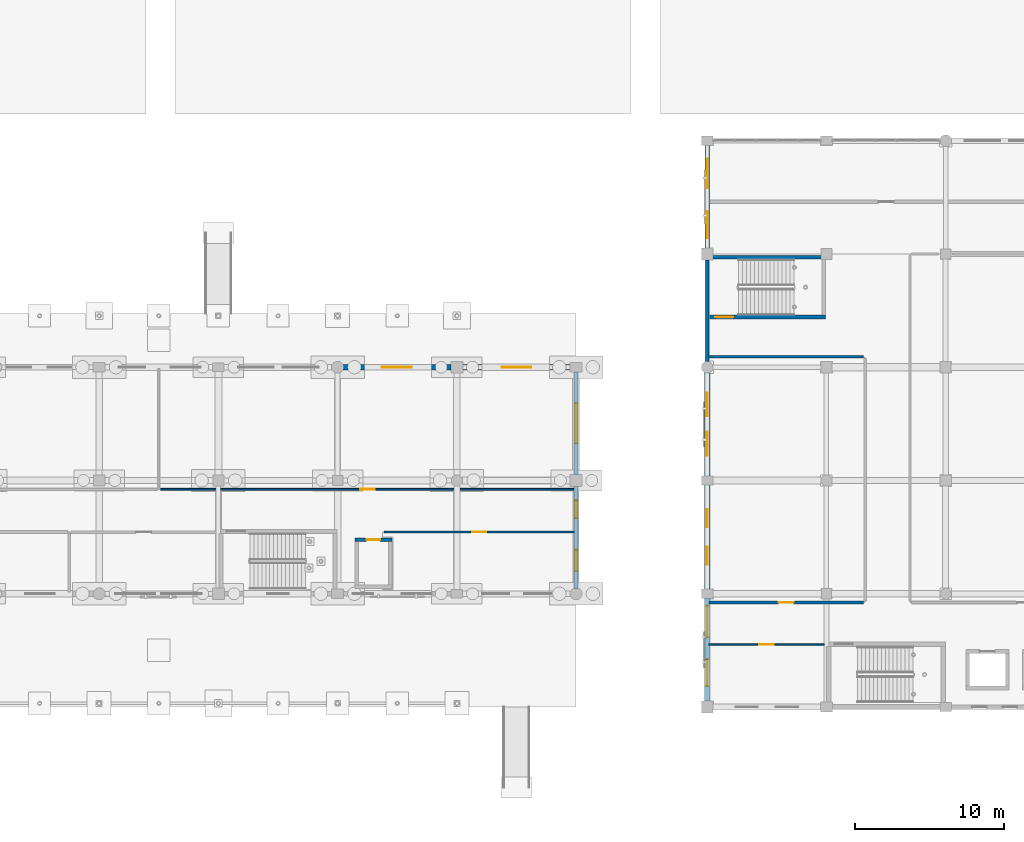
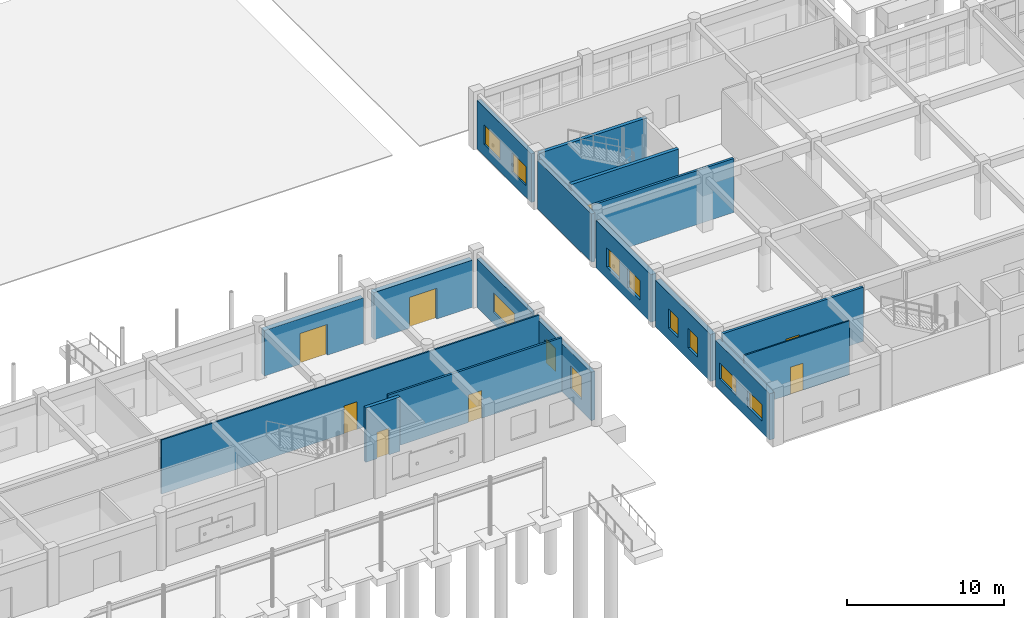
# One storey, part 133 of 166: 17 walls, 11 windows, 8 doors, 19 openings.
"""IFC4 building model written with IfcOpenShell, lengths in metres."""

from ifc_helpers import new_model, si_unit, direction, frame, frame_2d, origin, place, context, subcontext, project, spatial, rectangle, extrude, material, layer, layer_set, type_object, element, fill, save


model = new_model("IFC4")

# Units and contexts
model_context = context("Model", 3, precision=1e-05, world=origin(), true_north=direction((0.0, 1.0)))
body_context = subcontext(model_context, "Body", "Model", "MODEL_VIEW")
ifc_project = project(units=[si_unit("LENGTHUNIT", "METRE"), si_unit("AREAUNIT", "SQUARE_METRE"), si_unit("VOLUMEUNIT", "CUBIC_METRE"), si_unit("PLANEANGLEUNIT", "RADIAN"), si_unit("MASSUNIT", "GRAM", prefix="KILO")], contexts=[model_context])

# Site, building, storey
site_placement = place(None, origin())
site = spatial("IfcSite", under=ifc_project, at=site_placement, CompositionType="ELEMENT")
building_placement = place(site_placement, origin())
building = spatial("IfcBuilding", under=site, at=building_placement, Name="Kharva Crest Polytechnic", CompositionType="ELEMENT")
storey_placement = place(building_placement, origin())
storey = spatial("IfcBuildingStorey", under=building, at=storey_placement, Name="L00", CompositionType="ELEMENT", Elevation=0.0)

# Wall, opening, window
ifc_material_1 = material(Name="Kiln brick masonry", Category="masonry")
ifc_layer_1 = layer(ifc_material_1, 0.260009765625, Name="Kiln brick masonry")
ifc_layer_set_1 = layer_set([ifc_layer_1], Name="Kiln brick masonry")
wall_type_1 = type_object("IfcWallType", Name="WL-EXT-BRK-260", PredefinedType="SOLIDWALL", material=ifc_layer_set_1)
wall_1_placement = place(storey_placement, frame((112.0, 15.594970703125, 0.0), z_axis=(0.0, 0.0, 1.0), x_axis=(0.0, 1.0, 0.0)))
wall_1 = element("IfcWall", 1, at=wall_1_placement, inside=storey, type_object=wall_type_1, Name="L00 Exterior Brick Wall 28", PredefinedType="SOLIDWALL", context=body_context, shape_type="SweptSolid", body=[
    extrude(rectangle(XDim=6.885009765625, YDim=0.260009765625, at=frame_2d((3.4423828125, 0.0))), origin(), (0.0, 0.0, 1.0), 3.780029296875),
])
opening_1_placement = place(wall_1_placement, frame((2.092041015625, 0.0, 0.89990234375)))
opening_1 = element("IfcOpeningElement", 2, at=opening_1_placement, cuts=wall_1, Name="Opening W09", PredefinedType="OPENING", context=body_context, shape_type="SweptSolid", body=[
    extrude(rectangle(XDim=2.699951171875, YDim=1.5, at=frame_2d((1.35009765625, 0.75))), frame((0.0, 0.139892578125, 0.0), z_axis=(0.0, -1.0, 0.0), x_axis=(1.0, 0.0, 0.0)), (0.0, 0.0, 1.0), 0.280029296875),
])
ifc_material_2 = material(Name="Anodised aluminium", Category="aluminium")
window_type_1 = type_object("IfcWindowType", Name="WIN-ALU-2700X1500", PartitioningType="SINGLE_PANEL", PredefinedType="WINDOW", material=ifc_material_2)
window_1_placement = place(opening_1_placement, origin())
window_1 = element("IfcWindow", 3, at=window_1_placement, inside=storey, type_object=window_type_1, Name="L00 Exterior Window 32", OverallHeight=1.5, OverallWidth=2.699951171875, PartitioningType="SINGLE_PANEL", PredefinedType="WINDOW", context=body_context, shape_type="SweptSolid", body=[
    extrude(rectangle(XDim=2.699951171875, YDim=1.5, at=frame_2d((1.35009765625, 0.75))), frame((0.0, 0.030029296875, 0.0), z_axis=(0.0, -1.0, 0.0), x_axis=(1.0, 0.0, 0.0)), (0.0, 0.0, 1.0), 0.06005859375),
])
fill(opening_1, window_1)

# Wall
wall_2_placement = place(storey_placement, frame((120.800048828125, 30.0048828125, 0.0), z_axis=(0.0, 0.0, 1.0), x_axis=(0.0, -1.0, 0.0)))
element("IfcWall", 4, at=wall_2_placement, inside=storey, type_object=wall_type_1, Name="L00 Exterior Brick Wall 48", PredefinedType="SOLIDWALL", context=body_context, shape_type="SweptSolid", body=[
    extrude(rectangle(XDim=6.868896484375, YDim=0.260009765625, at=frame_2d((3.4345703125, 0.0))), origin(), (0.0, 0.0, 1.0), 3.760009765625),
])

# Wall, openings, windows
ifc_layer_2 = layer(ifc_material_1, 0.27490234375, Name="Kiln brick masonry")
ifc_layer_set_2 = layer_set([ifc_layer_2], Name="Kiln brick masonry")
wall_type_2 = type_object("IfcWallType", Name="WL-EXT-BRK-275", PredefinedType="SOLIDWALL", material=ifc_layer_set_2)
wall_3_placement = place(storey_placement, frame((112.0, 7.93603515625, 0.0), z_axis=(0.0, 0.0, 1.0), x_axis=(0.0, 1.0, 0.0)))
wall_3 = element("IfcWall", 5, at=wall_3_placement, inside=storey, type_object=wall_type_2, Name="L00 Exterior Brick Wall 27", PredefinedType="SOLIDWALL", context=body_context, shape_type="SweptSolid", body=[
    extrude(rectangle(XDim=6.868896484375, YDim=0.27490234375, at=frame_2d((3.4345703125, 0.0))), origin(), (0.0, 0.0, 1.0), 3.760009765625),
])
opening_2_placement = place(wall_3_placement, frame((1.201904296875, 0.0, 0.89990234375)))
opening_2 = element("IfcOpeningElement", 6, at=opening_2_placement, cuts=wall_3, Name="Opening W07", PredefinedType="OPENING", context=body_context, shape_type="SweptSolid", body=[
    extrude(rectangle(XDim=1.39990234375, YDim=1.800048828125, at=frame_2d((0.699951171875, 0.89990234375))), frame((0.0, 0.1474609375, 0.0), z_axis=(0.0, -1.0, 0.0), x_axis=(1.0, 0.0, 0.0)), (0.0, 0.0, 1.0), 0.294921875),
])
opening_3_placement = place(wall_3_placement, frame((4.736083984375, 0.0, 0.89990234375)))
opening_3 = element("IfcOpeningElement", 7, at=opening_3_placement, cuts=wall_3, Name="Opening W08", PredefinedType="OPENING", context=body_context, shape_type="SweptSolid", body=[
    extrude(rectangle(XDim=1.199951171875, YDim=1.800048828125, at=frame_2d((0.60009765625, 0.89990234375))), frame((0.0, 0.1474609375, 0.0), z_axis=(0.0, -1.0, 0.0), x_axis=(1.0, 0.0, 0.0)), (0.0, 0.0, 1.0), 0.294921875),
])
window_type_2 = type_object("IfcWindowType", Name="WIN-ALU-1200X1800", PartitioningType="SINGLE_PANEL", PredefinedType="WINDOW", material=ifc_material_2)
window_2_placement = place(opening_3_placement, origin())
window_2 = element("IfcWindow", 8, at=window_2_placement, inside=storey, type_object=window_type_2, Name="L00 Exterior Window 31", OverallHeight=1.800048828125, OverallWidth=1.199951171875, PartitioningType="SINGLE_PANEL", PredefinedType="WINDOW", context=body_context, shape_type="SweptSolid", body=[
    extrude(rectangle(XDim=1.199951171875, YDim=1.800048828125, at=frame_2d((0.60009765625, 0.89990234375))), frame((0.0, 0.030029296875, 0.0), z_axis=(0.0, -1.0, 0.0), x_axis=(1.0, 0.0, 0.0)), (0.0, 0.0, 1.0), 0.06005859375),
])
fill(opening_3, window_2)
window_type_3 = type_object("IfcWindowType", Name="WIN-ALU-1400X1800", PartitioningType="SINGLE_PANEL", PredefinedType="WINDOW", material=ifc_material_2)
window_3_placement = place(opening_2_placement, origin())
window_3 = element("IfcWindow", 9, at=window_3_placement, inside=storey, type_object=window_type_3, Name="L00 Exterior Window 30", OverallHeight=1.800048828125, OverallWidth=1.39990234375, PartitioningType="SINGLE_PANEL", PredefinedType="WINDOW", context=body_context, shape_type="SweptSolid", body=[
    extrude(rectangle(XDim=1.39990234375, YDim=1.800048828125, at=frame_2d((0.699951171875, 0.89990234375))), frame((0.0, 0.030029296875, 0.0), z_axis=(0.0, -1.0, 0.0), x_axis=(1.0, 0.0, 0.0)), (0.0, 0.0, 1.0), 0.06005859375),
])
fill(opening_2, window_3)

wall_4_placement = place(storey_placement, frame((120.800048828125, 37.679931640625, 0.0), z_axis=(0.0, 0.0, 1.0), x_axis=(0.0, -1.0, 0.0)))
wall_4 = element("IfcWall", 10, at=wall_4_placement, inside=storey, type_object=wall_type_2, Name="L00 Exterior Brick Wall 47", PredefinedType="SOLIDWALL", context=body_context, shape_type="SweptSolid", body=[
    extrude(rectangle(XDim=6.885009765625, YDim=0.27490234375, at=frame_2d((3.4423828125, 0.0))), origin(), (0.0, 0.0, 1.0), 3.780029296875),
])
opening_4_placement = place(wall_4_placement, frame((0.885009765625, 0.0, 0.89990234375)))
opening_4 = element("IfcOpeningElement", 11, at=opening_4_placement, cuts=wall_4, Name="Opening W12", PredefinedType="OPENING", context=body_context, shape_type="SweptSolid", body=[
    extrude(rectangle(XDim=2.0, YDim=1.5, at=frame_2d((1.0, 0.75))), frame((0.0, 0.1474609375, 0.0), z_axis=(0.0, -1.0, 0.0), x_axis=(1.0, 0.0, 0.0)), (0.0, 0.0, 1.0), 0.294921875),
])
opening_5_placement = place(wall_4_placement, frame((4.427001953125, 0.0, 0.89990234375)))
opening_5 = element("IfcOpeningElement", 12, at=opening_5_placement, cuts=wall_4, Name="Opening W13", PredefinedType="OPENING", context=body_context, shape_type="SweptSolid", body=[
    extrude(rectangle(XDim=1.800048828125, YDim=1.5, at=frame_2d((0.89990234375, 0.75))), frame((0.0, 0.1474609375, 0.0), z_axis=(0.0, -1.0, 0.0), x_axis=(1.0, 0.0, 0.0)), (0.0, 0.0, 1.0), 0.294921875),
])
window_type_4 = type_object("IfcWindowType", Name="WIN-ALU-1800X1500", PartitioningType="SINGLE_PANEL", PredefinedType="WINDOW", material=ifc_material_2)
window_4_placement = place(opening_5_placement, origin())
window_4 = element("IfcWindow", 13, at=window_4_placement, inside=storey, type_object=window_type_4, Name="L00 Exterior Window 60", OverallHeight=1.5, OverallWidth=1.800048828125, PartitioningType="SINGLE_PANEL", PredefinedType="WINDOW", context=body_context, shape_type="SweptSolid", body=[
    extrude(rectangle(XDim=1.800048828125, YDim=1.5, at=frame_2d((0.89990234375, 0.75))), frame((0.0, 0.030029296875, 0.0), z_axis=(0.0, -1.0, 0.0), x_axis=(1.0, 0.0, 0.0)), (0.0, 0.0, 1.0), 0.06005859375),
])
fill(opening_5, window_4)
window_type_5 = type_object("IfcWindowType", Name="WIN-ALU-2000X1500", PartitioningType="SINGLE_PANEL", PredefinedType="WINDOW", material=ifc_material_2)
window_5_placement = place(opening_4_placement, origin())
window_5 = element("IfcWindow", 14, at=window_5_placement, inside=storey, type_object=window_type_5, Name="L00 Exterior Window 59", OverallHeight=1.5, OverallWidth=2.0, PartitioningType="SINGLE_PANEL", PredefinedType="WINDOW", context=body_context, shape_type="SweptSolid", body=[
    extrude(rectangle(XDim=2.0, YDim=1.5, at=frame_2d((1.0, 0.75))), frame((0.0, 0.030029296875, 0.0), z_axis=(0.0, -1.0, 0.0), x_axis=(1.0, 0.0, 0.0)), (0.0, 0.0, 1.0), 0.06005859375),
])
fill(opening_4, window_5)

ifc_layer_3 = layer(ifc_material_1, 0.35009765625, Name="Kiln brick masonry")
ifc_layer_set_3 = layer_set([ifc_layer_3], Name="Kiln brick masonry")
wall_type_3 = type_object("IfcWallType", Name="WL-EXT-BRK-350", PredefinedType="SOLIDWALL", material=ifc_layer_set_3)
wall_5_placement = place(storey_placement, frame((120.800048828125, 7.280029296875, 0.0), z_axis=(0.0, 0.0, 1.0), x_axis=(0.0, -1.0, 0.0)))
wall_5 = element("IfcWall", 15, at=wall_5_placement, inside=storey, type_object=wall_type_3, Name="L00 Exterior Brick Wall 51", PredefinedType="SOLIDWALL", context=body_context, shape_type="SweptSolid", body=[
    extrude(rectangle(XDim=6.885009765625, YDim=0.35009765625, at=frame_2d((3.4423828125, 0.0))), origin(), (0.0, 0.0, 1.0), 3.60009765625),
])
opening_6_placement = place(wall_5_placement, frame((0.489990234375, 0.0, 0.89990234375)))
opening_6 = element("IfcOpeningElement", 16, at=opening_6_placement, cuts=wall_5, Name="Opening W18", PredefinedType="OPENING", context=body_context, shape_type="SweptSolid", body=[
    extrude(rectangle(XDim=2.10009765625, YDim=1.25, at=frame_2d((1.050048828125, 0.625))), frame((0.0, 0.18505859375, 0.0), z_axis=(0.0, -1.0, 0.0), x_axis=(1.0, 0.0, 0.0)), (0.0, 0.0, 1.0), 0.3701171875),
])
opening_7_placement = place(wall_5_placement, frame((4.08203125, 0.0, 0.89990234375)))
opening_7 = element("IfcOpeningElement", 17, at=opening_7_placement, cuts=wall_5, Name="Opening W19", PredefinedType="OPENING", context=body_context, shape_type="SweptSolid", body=[
    extrude(rectangle(XDim=1.800048828125, YDim=1.25, at=frame_2d((0.89990234375, 0.625))), frame((0.0, 0.18505859375, 0.0), z_axis=(0.0, -1.0, 0.0), x_axis=(1.0, 0.0, 0.0)), (0.0, 0.0, 1.0), 0.3701171875),
])
window_type_6 = type_object("IfcWindowType", Name="WIN-ALU-1800X1250", PartitioningType="SINGLE_PANEL", PredefinedType="WINDOW", material=ifc_material_2)
window_6_placement = place(opening_7_placement, origin())
window_6 = element("IfcWindow", 18, at=window_6_placement, inside=storey, type_object=window_type_6, Name="L00 Exterior Window 66", OverallHeight=1.25, OverallWidth=1.800048828125, PartitioningType="SINGLE_PANEL", PredefinedType="WINDOW", context=body_context, shape_type="SweptSolid", body=[
    extrude(rectangle(XDim=1.800048828125, YDim=1.25, at=frame_2d((0.89990234375, 0.625))), frame((0.0, 0.030029296875, 0.0), z_axis=(0.0, -1.0, 0.0), x_axis=(1.0, 0.0, 0.0)), (0.0, 0.0, 1.0), 0.06005859375),
])
fill(opening_7, window_6)
window_type_7 = type_object("IfcWindowType", Name="WIN-ALU-2100X1250", PartitioningType="SINGLE_PANEL", PredefinedType="WINDOW", material=ifc_material_2)
window_7_placement = place(opening_6_placement, origin())
window_7 = element("IfcWindow", 19, at=window_7_placement, inside=storey, type_object=window_type_7, Name="L00 Exterior Window 65", OverallHeight=1.25, OverallWidth=2.10009765625, PartitioningType="SINGLE_PANEL", PredefinedType="WINDOW", context=body_context, shape_type="SweptSolid", body=[
    extrude(rectangle(XDim=2.10009765625, YDim=1.25, at=frame_2d((1.050048828125, 0.625))), frame((0.0, 0.030029296875, 0.0), z_axis=(0.0, -1.0, 0.0), x_axis=(1.0, 0.0, 0.0)), (0.0, 0.0, 1.0), 0.06005859375),
])
fill(opening_6, window_7)

# Wall, opening, door
ifc_layer_4 = layer(ifc_material_1, 0.364990234375, Name="Kiln brick masonry")
ifc_layer_set_4 = layer_set([ifc_layer_4], Name="Kiln brick masonry")
wall_type_4 = type_object("IfcWallType", Name="WL-EXT-BRK-365", PredefinedType="SOLIDWALL", material=ifc_layer_set_4)
wall_6_placement = place(storey_placement, frame((103.60498046875, 22.800048828125, 0.0), z_axis=(0.0, 0.0, 1.0), x_axis=(-1.0, 0.0, 0.0)))
wall_6 = element("IfcWall", 20, at=wall_6_placement, inside=storey, type_object=wall_type_4, Name="L00 Exterior Brick Wall 30", PredefinedType="SOLIDWALL", context=body_context, shape_type="SweptSolid", body=[
    extrude(rectangle(XDim=7.26904296875, YDim=0.364990234375, at=frame_2d((3.634521484375, 0.0))), origin(), (0.0, 0.0, 1.0), 3.5400390625),
])
opening_8_placement = place(wall_6_placement, frame((2.635009765625, 0.0, 0.0)))
opening_8 = element("IfcOpeningElement", 21, at=opening_8_placement, cuts=wall_6, Name="Opening ED2", PredefinedType="OPENING", context=body_context, shape_type="SweptSolid", body=[
    extrude(rectangle(XDim=2.0, YDim=2.39990234375, at=frame_2d((1.0, 1.199951171875))), frame((0.0, 0.1923828125, 0.0), z_axis=(0.0, -1.0, 0.0), x_axis=(1.0, 0.0, 0.0)), (0.0, 0.0, 1.0), 0.385009765625),
])
door_type_1 = type_object("IfcDoorType", Name="DR-EXT-DBL-2000X2400", OperationType="NOTDEFINED", PredefinedType="DOOR", material=ifc_material_2)
door_1_placement = place(opening_8_placement, frame((2.0, 0.0, 0.0), z_axis=(0.0, 0.0, 1.0), x_axis=(-1.0, 0.0, 0.0)))
door_1 = element("IfcDoor", 22, at=door_1_placement, inside=storey, type_object=door_type_1, Name="L00 VER_S_L00 Access Door 11", OperationType="DOUBLE_DOOR_SINGLE_SWING", OverallHeight=2.39990234375, OverallWidth=2.0, PredefinedType="DOOR", context=body_context, shape_type="SweptSolid", body=[
    extrude(rectangle(XDim=2.0, YDim=2.39990234375, at=frame_2d((1.0, 1.199951171875))), frame((0.0, 0.02490234375, 0.0), z_axis=(0.0, -1.0, 0.0), x_axis=(1.0, 0.0, 0.0)), (0.0, 0.0, 1.0), 0.050048828125),
])
fill(opening_8, door_1)

# Wall, openings, windows
wall_7_placement = place(storey_placement, frame((120.800048828125, 14.905029296875, 0.0), z_axis=(0.0, 0.0, 1.0), x_axis=(0.0, -1.0, 0.0)))
wall_7 = element("IfcWall", 23, at=wall_7_placement, inside=storey, type_object=wall_type_4, Name="L00 Exterior Brick Wall 50", PredefinedType="SOLIDWALL", context=body_context, shape_type="SweptSolid", body=[
    extrude(rectangle(XDim=6.985107421875, YDim=0.364990234375, at=frame_2d((3.49267578125, 0.0))), origin(), (0.0, 0.0, 1.0), 3.639892578125),
])
opening_9_placement = place(wall_7_placement, frame((1.635009765625, 0.0, 0.89990234375)))
opening_9 = element("IfcOpeningElement", 24, at=opening_9_placement, cuts=wall_7, Name="Opening W16", PredefinedType="OPENING", context=body_context, shape_type="SweptSolid", body=[
    extrude(rectangle(XDim=1.199951171875, YDim=1.5, at=frame_2d((0.60009765625, 0.75))), frame((0.0, 0.1923828125, 0.0), z_axis=(0.0, -1.0, 0.0), x_axis=(1.0, 0.0, 0.0)), (0.0, 0.0, 1.0), 0.385009765625),
])
opening_10_placement = place(wall_7_placement, frame((4.14990234375, 0.0, 0.89990234375)))
opening_10 = element("IfcOpeningElement", 25, at=opening_10_placement, cuts=wall_7, Name="Opening W16", PredefinedType="OPENING", context=body_context, shape_type="SweptSolid", body=[
    extrude(rectangle(XDim=1.199951171875, YDim=1.5, at=frame_2d((0.60009765625, 0.75))), frame((0.0, 0.1923828125, 0.0), z_axis=(0.0, -1.0, 0.0), x_axis=(1.0, 0.0, 0.0)), (0.0, 0.0, 1.0), 0.385009765625),
])
window_type_8 = type_object("IfcWindowType", Name="WIN-ALU-1200X1500", PartitioningType="SINGLE_PANEL", PredefinedType="WINDOW", material=ifc_material_2)
window_8_placement = place(opening_9_placement, origin())
window_8 = element("IfcWindow", 26, at=window_8_placement, inside=storey, type_object=window_type_8, Name="L00 Exterior Window 63", OverallHeight=1.5, OverallWidth=1.199951171875, PartitioningType="SINGLE_PANEL", PredefinedType="WINDOW", context=body_context, shape_type="SweptSolid", body=[
    extrude(rectangle(XDim=1.199951171875, YDim=1.5, at=frame_2d((0.60009765625, 0.75))), frame((0.0, 0.030029296875, 0.0), z_axis=(0.0, -1.0, 0.0), x_axis=(1.0, 0.0, 0.0)), (0.0, 0.0, 1.0), 0.06005859375),
])
fill(opening_9, window_8)
window_9_placement = place(opening_10_placement, origin())
window_9 = element("IfcWindow", 27, at=window_9_placement, inside=storey, type_object=window_type_8, Name="L00 Exterior Window 64", OverallHeight=1.5, OverallWidth=1.199951171875, PartitioningType="SINGLE_PANEL", PredefinedType="WINDOW", context=body_context, shape_type="SweptSolid", body=[
    extrude(rectangle(XDim=1.199951171875, YDim=1.5, at=frame_2d((0.60009765625, 0.75))), frame((0.0, 0.030029296875, 0.0), z_axis=(0.0, -1.0, 0.0), x_axis=(1.0, 0.0, 0.0)), (0.0, 0.0, 1.0), 0.06005859375),
])
fill(opening_10, window_9)

# Wall, opening, door
ifc_layer_5 = layer(ifc_material_1, 0.3798828125, Name="Kiln brick masonry")
ifc_layer_set_5 = layer_set([ifc_layer_5], Name="Kiln brick masonry")
wall_type_5 = type_object("IfcWallType", Name="WL-EXT-BRK-380", PredefinedType="SOLIDWALL", material=ifc_layer_set_5)
wall_8_placement = place(storey_placement, frame((111.60498046875, 22.800048828125, 0.0), z_axis=(0.0, 0.0, 1.0), x_axis=(-1.0, 0.0, 0.0)))
wall_8 = element("IfcWall", 28, at=wall_8_placement, inside=storey, type_object=wall_type_5, Name="L00 Exterior Brick Wall 29", PredefinedType="SOLIDWALL", context=body_context, shape_type="SweptSolid", body=[
    extrude(rectangle(XDim=7.2099609375, YDim=0.3798828125, at=frame_2d((3.60498046875, 0.0))), origin(), (0.0, 0.0, 1.0), 3.669921875),
])
opening_11_placement = place(wall_8_placement, frame((2.60498046875, 0.0, 0.0)))
opening_11 = element("IfcOpeningElement", 29, at=opening_11_placement, cuts=wall_8, Name="Opening ED2", PredefinedType="OPENING", context=body_context, shape_type="SweptSolid", body=[
    extrude(rectangle(XDim=2.0, YDim=2.39990234375, at=frame_2d((1.0, 1.199951171875))), frame((0.0, 0.199951171875, 0.0), z_axis=(0.0, -1.0, 0.0), x_axis=(1.0, 0.0, 0.0)), (0.0, 0.0, 1.0), 0.39990234375),
])
door_2_placement = place(opening_11_placement, frame((2.0, 0.0, 0.0), z_axis=(0.0, 0.0, 1.0), x_axis=(-1.0, 0.0, 0.0)))
door_2 = element("IfcDoor", 30, at=door_2_placement, inside=storey, type_object=door_type_1, Name="L00 VER_S_L00 Access Door 10", OperationType="DOUBLE_DOOR_SINGLE_SWING", OverallHeight=2.39990234375, OverallWidth=2.0, PredefinedType="DOOR", context=body_context, shape_type="SweptSolid", body=[
    extrude(rectangle(XDim=2.0, YDim=2.39990234375, at=frame_2d((1.0, 1.199951171875))), frame((0.0, 0.02490234375, 0.0), z_axis=(0.0, -1.0, 0.0), x_axis=(1.0, 0.0, 0.0)), (0.0, 0.0, 1.0), 0.050048828125),
])
fill(opening_11, door_2)

# Wall, openings, windows
wall_9_placement = place(storey_placement, frame((120.800048828125, 22.464111328125, 0.0), z_axis=(0.0, 0.0, 1.0), x_axis=(0.0, -1.0, 0.0)))
wall_9 = element("IfcWall", 31, at=wall_9_placement, inside=storey, type_object=wall_type_5, Name="L00 Exterior Brick Wall 49", PredefinedType="SOLIDWALL", context=body_context, shape_type="SweptSolid", body=[
    extrude(rectangle(XDim=6.968994140625, YDim=0.3798828125, at=frame_2d((3.484375, 0.0))), origin(), (0.0, 0.0, 1.0), 3.699951171875),
])
opening_12_placement = place(wall_9_placement, frame((1.363037109375, 0.0, 0.89990234375)))
opening_12 = element("IfcOpeningElement", 32, at=opening_12_placement, cuts=wall_9, Name="Opening W14", PredefinedType="OPENING", context=body_context, shape_type="SweptSolid", body=[
    extrude(rectangle(XDim=1.60009765625, YDim=1.5, at=frame_2d((0.800048828125, 0.75))), frame((0.0, 0.199951171875, 0.0), z_axis=(0.0, -1.0, 0.0), x_axis=(1.0, 0.0, 0.0)), (0.0, 0.0, 1.0), 0.39990234375),
])
opening_13_placement = place(wall_9_placement, frame((4.006103515625, 0.0, 0.89990234375)))
opening_13 = element("IfcOpeningElement", 33, at=opening_13_placement, cuts=wall_9, Name="Opening W14", PredefinedType="OPENING", context=body_context, shape_type="SweptSolid", body=[
    extrude(rectangle(XDim=1.60009765625, YDim=1.5, at=frame_2d((0.800048828125, 0.75))), frame((0.0, 0.199951171875, 0.0), z_axis=(0.0, -1.0, 0.0), x_axis=(1.0, 0.0, 0.0)), (0.0, 0.0, 1.0), 0.39990234375),
])
window_type_9 = type_object("IfcWindowType", Name="WIN-ALU-1600X1500", PartitioningType="SINGLE_PANEL", PredefinedType="WINDOW", material=ifc_material_2)
window_10_placement = place(opening_12_placement, origin())
window_10 = element("IfcWindow", 34, at=window_10_placement, inside=storey, type_object=window_type_9, Name="L00 Exterior Window 61", OverallHeight=1.5, OverallWidth=1.60009765625, PartitioningType="SINGLE_PANEL", PredefinedType="WINDOW", context=body_context, shape_type="SweptSolid", body=[
    extrude(rectangle(XDim=1.60009765625, YDim=1.5, at=frame_2d((0.800048828125, 0.75))), frame((0.0, 0.030029296875, 0.0), z_axis=(0.0, -1.0, 0.0), x_axis=(1.0, 0.0, 0.0)), (0.0, 0.0, 1.0), 0.06005859375),
])
fill(opening_12, window_10)
window_11_placement = place(opening_13_placement, origin())
window_11 = element("IfcWindow", 35, at=window_11_placement, inside=storey, type_object=window_type_9, Name="L00 Exterior Window 62", OverallHeight=1.5, OverallWidth=1.60009765625, PartitioningType="SINGLE_PANEL", PredefinedType="WINDOW", context=body_context, shape_type="SweptSolid", body=[
    extrude(rectangle(XDim=1.60009765625, YDim=1.5, at=frame_2d((0.800048828125, 0.75))), frame((0.0, 0.030029296875, 0.0), z_axis=(0.0, -1.0, 0.0), x_axis=(1.0, 0.0, 0.0)), (0.0, 0.0, 1.0), 0.06005859375),
])
fill(opening_13, window_11)

# Wall, opening, door
ifc_layer_6 = layer(ifc_material_1, 0.10009765625, Name="Kiln brick masonry")
ifc_layer_set_6 = layer_set([ifc_layer_6], Name="Kiln brick masonry")
wall_type_6 = type_object("IfcWallType", Name="WL-PART-100", PredefinedType="PARTITIONING", material=ifc_layer_set_6)
wall_10_placement = place(storey_placement, frame((120.909912109375, 4.18994140625, 0.0), z_axis=(0.0, 0.0, 1.0), x_axis=(1.0, 0.0, 0.0)))
wall_10 = element("IfcWall", 36, at=wall_10_placement, inside=storey, type_object=wall_type_6, Name="L00 Interior Partition 78", PredefinedType="PARTITIONING", context=body_context, shape_type="SweptSolid", body=[
    extrude(rectangle(XDim=7.72998046875, YDim=0.10009765625, at=frame_2d((3.864990234375, 0.0))), origin(), (0.0, 0.0, 1.0), 4.199951171875),
])
opening_14_placement = place(wall_10_placement, frame((3.389892578125, 0.0, 0.0)))
opening_14 = element("IfcOpeningElement", 37, at=opening_14_placement, cuts=wall_10, Name="Opening ID14", PredefinedType="OPENING", context=body_context, shape_type="SweptSolid", body=[
    extrude(rectangle(XDim=0.949951171875, YDim=2.10009765625, at=frame_2d((0.47509765625, 1.050048828125))), frame((0.0, 0.06005859375, 0.0), z_axis=(0.0, -1.0, 0.0), x_axis=(1.0, 0.0, 0.0)), (0.0, 0.0, 1.0), 0.1201171875),
])
ifc_material_3 = material(Name="Teak timber", Category="wood")
door_type_2 = type_object("IfcDoorType", Name="DR-WC-950X2100", OperationType="NOTDEFINED", PredefinedType="DOOR", material=ifc_material_3)
door_3_placement = place(opening_14_placement, origin())
door_3 = element("IfcDoor", 38, at=door_3_placement, inside=storey, type_object=door_type_2, Name="L00 Refectory Accessible WC Door", OperationType="SINGLE_SWING_RIGHT", OverallHeight=2.10009765625, OverallWidth=0.949951171875, PredefinedType="DOOR", context=body_context, shape_type="SweptSolid", body=[
    extrude(rectangle(XDim=0.949951171875, YDim=2.10009765625, at=frame_2d((0.47509765625, 1.050048828125))), frame((0.0, 0.02490234375, 0.0), z_axis=(0.0, -1.0, 0.0), x_axis=(1.0, 0.0, 0.0)), (0.0, 0.0, 1.0), 0.050048828125),
])
fill(opening_14, door_3)

ifc_layer_7 = layer(ifc_material_1, 0.110107421875, Name="Kiln brick masonry")
ifc_layer_set_7 = layer_set([ifc_layer_7], Name="Kiln brick masonry")
wall_type_7 = type_object("IfcWallType", Name="WL-PART-110", PredefinedType="PARTITIONING", material=ifc_layer_set_7)
wall_11_placement = place(storey_placement, frame((84.1201171875, 14.610107421875, 0.0), z_axis=(0.0, 0.0, 1.0), x_axis=(1.0, 0.0, 0.0)))
wall_11 = element("IfcWall", 39, at=wall_11_placement, inside=storey, type_object=wall_type_7, Name="L00 Interior Partition 77", PredefinedType="PARTITIONING", context=body_context, shape_type="SweptSolid", body=[
    extrude(rectangle(XDim=27.769775390625, YDim=0.110107421875, at=frame_2d((13.884765625, 0.0))), origin(), (0.0, 0.0, 1.0), 4.199951171875),
])
opening_15_placement = place(wall_11_placement, frame((13.405029296875, 0.0, 0.0)))
opening_15 = element("IfcOpeningElement", 40, at=opening_15_placement, cuts=wall_11, Name="Opening ID13", PredefinedType="OPENING", context=body_context, shape_type="SweptSolid", body=[
    extrude(rectangle(XDim=0.9599609375, YDim=2.14990234375, at=frame_2d((0.47998046875, 1.074951171875))), frame((0.0, 0.06494140625, 0.0), z_axis=(0.0, -1.0, 0.0), x_axis=(1.0, 0.0, 0.0)), (0.0, 0.0, 1.0), 0.130126953125),
])
door_type_3 = type_object("IfcDoorType", Name="DR-OFF-960X2150", OperationType="NOTDEFINED", PredefinedType="DOOR", material=ifc_material_3)
door_4_placement = place(opening_15_placement, origin())
door_4 = element("IfcDoor", 41, at=door_4_placement, inside=storey, type_object=door_type_3, Name="L00 Academic Examination Office Door", OperationType="SINGLE_SWING_LEFT", OverallHeight=2.14990234375, OverallWidth=0.9599609375, PredefinedType="DOOR", context=body_context, shape_type="SweptSolid", body=[
    extrude(rectangle(XDim=0.9599609375, YDim=2.14990234375, at=frame_2d((0.47998046875, 1.074951171875))), frame((0.0, 0.02490234375, 0.0), z_axis=(0.0, -1.0, 0.0), x_axis=(1.0, 0.0, 0.0)), (0.0, 0.0, 1.0), 0.050048828125),
])
fill(opening_15, door_4)

ifc_layer_8 = layer(ifc_material_1, 0.14990234375, Name="Kiln brick masonry")
ifc_layer_set_8 = layer_set([ifc_layer_8], Name="Kiln brick masonry")
wall_type_8 = type_object("IfcWallType", Name="WL-PART-150", PredefinedType="PARTITIONING", material=ifc_layer_set_8)
wall_12_placement = place(storey_placement, frame((99.110107421875, 11.739990234375, 0.0), z_axis=(0.0, 0.0, 1.0), x_axis=(1.0, 0.0, 0.0)))
wall_12 = element("IfcWall", 42, at=wall_12_placement, inside=storey, type_object=wall_type_8, Name="L00 Interior Partition 73", PredefinedType="PARTITIONING", context=body_context, shape_type="SweptSolid", body=[
    extrude(rectangle(XDim=12.77978515625, YDim=0.14990234375, at=frame_2d((6.389892578125, 0.0))), origin(), (0.0, 0.0, 1.0), 4.199951171875),
])
opening_16_placement = place(wall_12_placement, frame((5.909912109375, 0.0, 0.0)))
opening_16 = element("IfcOpeningElement", 43, at=opening_16_placement, cuts=wall_12, Name="Opening ID13", PredefinedType="OPENING", context=body_context, shape_type="SweptSolid", body=[
    extrude(rectangle(XDim=0.9599609375, YDim=2.14990234375, at=frame_2d((0.47998046875, 1.074951171875))), frame((0.0, 0.0849609375, 0.0), z_axis=(0.0, -1.0, 0.0), x_axis=(1.0, 0.0, 0.0)), (0.0, 0.0, 1.0), 0.169921875),
])
door_5_placement = place(opening_16_placement, origin())
door_5 = element("IfcDoor", 44, at=door_5_placement, inside=storey, type_object=door_type_3, Name="L00 Campus Reception Office Door", OperationType="SINGLE_SWING_LEFT", OverallHeight=2.14990234375, OverallWidth=0.9599609375, PredefinedType="DOOR", context=body_context, shape_type="SweptSolid", body=[
    extrude(rectangle(XDim=0.9599609375, YDim=2.14990234375, at=frame_2d((0.47998046875, 1.074951171875))), frame((0.0, 0.02490234375, 0.0), z_axis=(0.0, -1.0, 0.0), x_axis=(1.0, 0.0, 0.0)), (0.0, 0.0, 1.0), 0.050048828125),
])
fill(opening_16, door_5)

# Wall
ifc_layer_9 = layer(ifc_material_1, 0.169921875, Name="Kiln brick masonry")
ifc_layer_set_9 = layer_set([ifc_layer_9], Name="Kiln brick masonry")
wall_type_9 = type_object("IfcWallType", Name="WL-PART-170", PredefinedType="PARTITIONING", material=ifc_layer_set_9)
wall_13_placement = place(storey_placement, frame((120.909912109375, 23.489990234375, 0.0), z_axis=(0.0, 0.0, 1.0), x_axis=(1.0, 0.0, 0.0)))
element("IfcWall", 45, at=wall_13_placement, inside=storey, type_object=wall_type_9, Name="L00 Interior Partition 81", PredefinedType="PARTITIONING", context=body_context, shape_type="SweptSolid", body=[
    extrude(rectangle(XDim=10.3701171875, YDim=0.169921875, at=frame_2d((5.18505859375, 0.0))), origin(), (0.0, 0.0, 1.0), 4.199951171875),
])

# Wall, opening, door
ifc_layer_10 = layer(ifc_material_1, 0.179931640625, Name="Kiln brick masonry")
ifc_layer_set_10 = layer_set([ifc_layer_10], Name="Kiln brick masonry")
wall_type_10 = type_object("IfcWallType", Name="WL-PART-180", PredefinedType="PARTITIONING", material=ifc_layer_set_10)
wall_14_placement = place(storey_placement, frame((120.909912109375, 7.010009765625, 0.0), z_axis=(0.0, 0.0, 1.0), x_axis=(1.0, 0.0, 0.0)))
wall_14 = element("IfcWall", 46, at=wall_14_placement, inside=storey, type_object=wall_type_10, Name="L00 Interior Partition 80", PredefinedType="PARTITIONING", context=body_context, shape_type="SweptSolid", body=[
    extrude(rectangle(XDim=10.3701171875, YDim=0.179931640625, at=frame_2d((5.18505859375, 0.0))), origin(), (0.0, 0.0, 1.0), 4.199951171875),
])
opening_17_placement = place(wall_14_placement, frame((4.68505859375, 0.0, 0.0)))
opening_17 = element("IfcOpeningElement", 47, at=opening_17_placement, cuts=wall_14, Name="Opening ID12", PredefinedType="OPENING", context=body_context, shape_type="SweptSolid", body=[
    extrude(rectangle(XDim=1.0, YDim=2.14990234375, at=frame_2d((0.5, 1.074951171875))), frame((0.0, 0.099853515625, 0.0), z_axis=(0.0, -1.0, 0.0), x_axis=(1.0, 0.0, 0.0)), (0.0, 0.0, 1.0), 0.199951171875),
])
door_type_4 = type_object("IfcDoorType", Name="DR-OFF-1000X2150", OperationType="NOTDEFINED", PredefinedType="DOOR", material=ifc_material_3)
door_6_placement = place(opening_17_placement, origin())
door_6 = element("IfcDoor", 48, at=door_6_placement, inside=storey, type_object=door_type_4, Name="L00 Refectory Dining Hall Door", OperationType="SINGLE_SWING_RIGHT", OverallHeight=2.14990234375, OverallWidth=1.0, PredefinedType="DOOR", context=body_context, shape_type="SweptSolid", body=[
    extrude(rectangle(XDim=1.0, YDim=2.14990234375, at=frame_2d((0.5, 1.074951171875))), frame((0.0, 0.02490234375, 0.0), z_axis=(0.0, -1.0, 0.0), x_axis=(1.0, 0.0, 0.0)), (0.0, 0.0, 1.0), 0.050048828125),
])
fill(opening_17, door_6)

ifc_material_4 = material(Name="Concrete C40/50", Category="concrete")
ifc_layer_11 = layer(ifc_material_4, 0.25, Name="Concrete C40/50")
ifc_layer_set_11 = layer_set([ifc_layer_11], Name="Concrete C40/50")
wall_type_11 = type_object("IfcWallType", Name="WL-SHEAR-SW1-250", PredefinedType="SHEAR", material=ifc_layer_set_11)
wall_15_placement = place(storey_placement, frame((120.85009765625, 26.1650390625, 0.0), z_axis=(0.0, 0.0, 1.0), x_axis=(1.0, 0.0, 0.0)))
wall_15 = element("IfcWall", 49, at=wall_15_placement, inside=storey, type_object=wall_type_11, Name="L00 South-East Escarpment Secondary Stair C7 South Shear Wall", PredefinedType="SHEAR", context=body_context, shape_type="SweptSolid", body=[
    extrude(rectangle(XDim=7.89990234375, YDim=0.25, at=frame_2d((3.949951171875, 0.0))), origin(), (0.0, 0.0, 1.0), 4.219970703125),
])
opening_18_placement = place(wall_15_placement, frame((0.5, 0.0, 0.0)))
opening_18 = element("IfcOpeningElement", 50, at=opening_18_placement, cuts=wall_15, Name="Opening FD1", PredefinedType="OPENING", context=body_context, shape_type="SweptSolid", body=[
    extrude(rectangle(XDim=1.199951171875, YDim=2.199951171875, at=frame_2d((0.60009765625, 1.10009765625))), frame((0.0, 0.135009765625, 0.0), z_axis=(0.0, -1.0, 0.0), x_axis=(1.0, 0.0, 0.0)), (0.0, 0.0, 1.0), 0.27001953125),
])
door_type_5 = type_object("IfcDoorType", Name="DR-STAIR-1200X2200", OperationType="NOTDEFINED", PredefinedType="DOOR", material=ifc_material_3)
door_7_placement = place(opening_18_placement, origin())
door_7 = element("IfcDoor", 51, at=door_7_placement, inside=storey, type_object=door_type_5, Name="L00 ST-07 Stair Door", OperationType="SINGLE_SWING_RIGHT", OverallHeight=2.199951171875, OverallWidth=1.199951171875, PredefinedType="DOOR", context=body_context, shape_type="SweptSolid", body=[
    extrude(rectangle(XDim=1.199951171875, YDim=2.199951171875, at=frame_2d((0.60009765625, 1.10009765625))), frame((0.0, 0.02490234375, 0.0), z_axis=(0.0, -1.0, 0.0), x_axis=(1.0, 0.0, 0.0)), (0.0, 0.0, 1.0), 0.050048828125),
])
fill(opening_18, door_7)

# Wall
wall_16_placement = place(storey_placement, frame((120.85009765625, 30.175048828125, 0.0), z_axis=(0.0, 0.0, 1.0), x_axis=(1.0, 0.0, 0.0)))
element("IfcWall", 52, at=wall_16_placement, inside=storey, type_object=wall_type_11, Name="L00 South-East Escarpment Secondary Stair C7 North Shear Wall", PredefinedType="SHEAR", context=body_context, shape_type="SweptSolid", body=[
    extrude(rectangle(XDim=7.89990234375, YDim=0.25, at=frame_2d((3.949951171875, 0.0))), origin(), (0.0, 0.0, 1.0), 4.219970703125),
])

# Wall, opening, door
wall_17_placement = place(storey_placement, frame((97.14990234375, 11.22509765625, 0.0), z_axis=(0.0, 0.0, 1.0), x_axis=(1.0, 0.0, 0.0)))
wall_17 = element("IfcWall", 53, at=wall_17_placement, inside=storey, type_object=wall_type_11, Name="L00 Core C8 Riser North Wall", PredefinedType="SHEAR", context=body_context, shape_type="SweptSolid", body=[
    extrude(rectangle(XDim=2.5, YDim=0.25, at=frame_2d((1.25, 0.0))), origin(), (0.0, 0.0, 1.0), 4.219970703125),
])
opening_19_placement = place(wall_17_placement, frame((0.800048828125, 0.0, 0.0)))
opening_19 = element("IfcOpeningElement", 54, at=opening_19_placement, cuts=wall_17, Name="Opening FD3", PredefinedType="OPENING", context=body_context, shape_type="SweptSolid", body=[
    extrude(rectangle(XDim=0.89990234375, YDim=2.050048828125, at=frame_2d((0.449951171875, 1.02490234375))), frame((0.0, 0.135009765625, 0.0), z_axis=(0.0, -1.0, 0.0), x_axis=(1.0, 0.0, 0.0)), (0.0, 0.0, 1.0), 0.27001953125),
])
door_type_6 = type_object("IfcDoorType", Name="DR-RISER-900X2050", OperationType="NOTDEFINED", PredefinedType="DOOR", material=ifc_material_2)
door_8_placement = place(opening_19_placement, origin())
door_8 = element("IfcDoor", 55, at=door_8_placement, inside=storey, type_object=door_type_6, Name="L00 Core C8 Riser Access Door", OperationType="SINGLE_SWING_LEFT", OverallHeight=2.050048828125, OverallWidth=0.89990234375, PredefinedType="DOOR", context=body_context, shape_type="SweptSolid", body=[
    extrude(rectangle(XDim=0.89990234375, YDim=2.050048828125, at=frame_2d((0.449951171875, 1.02490234375))), frame((0.0, 0.02490234375, 0.0), z_axis=(0.0, -1.0, 0.0), x_axis=(1.0, 0.0, 0.0)), (0.0, 0.0, 1.0), 0.050048828125),
])
fill(opening_19, door_8)

save(model, "model.ifc")
